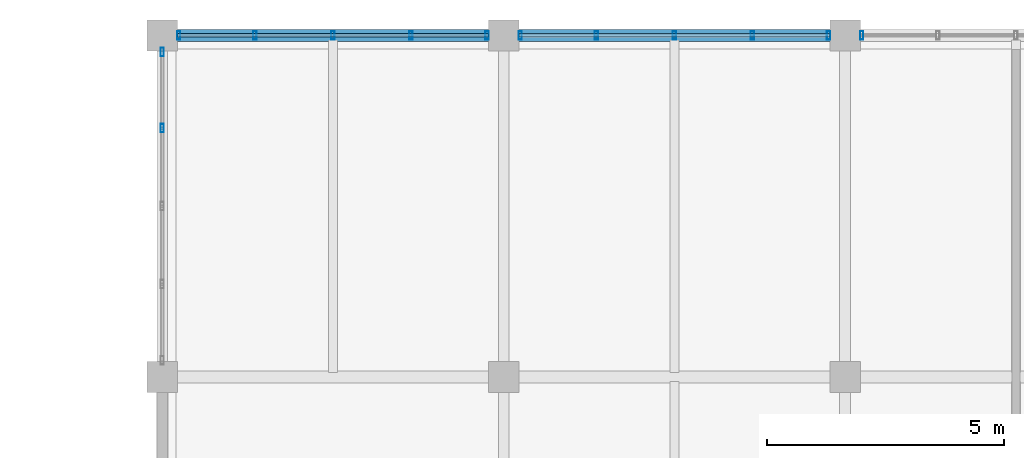
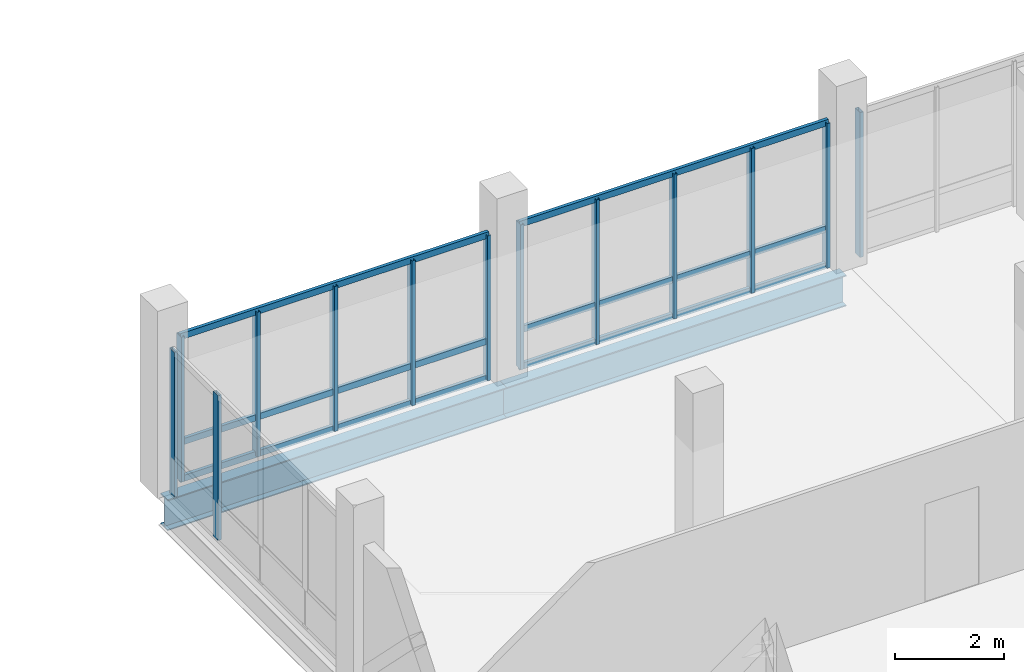
# One storey, part 50 of 144: 19 members, 2 beams, 4 elements without a shape of their own.
"""IFC4 building model written with IfcOpenShell, lengths in metres."""

from ifc_helpers import new_model, si_unit, direction, frame, origin, origin_2d, place, context, subcontext, project, spatial, hollow_rectangle, i_section, extrude, material, material_profile, profile_set, type_object, element, aggregate, save


model = new_model("IFC4")

# Units and contexts
model_context = context("Model", 3, precision=1e-05, world=origin(), true_north=direction((0.0, 1.0)))
body_context = subcontext(model_context, "Body", "Model", "MODEL_VIEW")
ifc_project = project(units=[si_unit("LENGTHUNIT", "METRE"), si_unit("AREAUNIT", "SQUARE_METRE"), si_unit("VOLUMEUNIT", "CUBIC_METRE"), si_unit("PLANEANGLEUNIT", "RADIAN"), si_unit("MASSUNIT", "GRAM", prefix="KILO")], contexts=[model_context])

# Site, building, storey
site_placement = place(None, origin())
site = spatial("IfcSite", under=ifc_project, at=site_placement, CompositionType="ELEMENT")
building_placement = place(site_placement, origin())
building = spatial("IfcBuilding", under=site, at=building_placement, Name="Yarey Park Central Fire Station", CompositionType="ELEMENT")
storey_placement = place(building_placement, frame((0.0, 0.0, 10.199951171875)))
storey = spatial("IfcBuildingStorey", under=building, at=storey_placement, Name="L03", CompositionType="ELEMENT", Elevation=10.199951171875)

# Curtain wall, members
ifc_material_1 = material(Name="Anodized Aluminium Frame", Category="aluminium")
curtain_wall_type = type_object("IfcCurtainWallType", Name="ENV_CW_HQ_L03", PredefinedType="NOTDEFINED", material=ifc_material_1)
curtain_wall_1_placement = place(storey_placement, origin())
curtain_wall_1 = element("IfcCurtainWall", 1, at=curtain_wall_1_placement, inside=storey, type_object=curtain_wall_type, Name="CW_L03_V4_N_1", PredefinedType="NOTDEFINED")
ifc_material_profile_1 = material_profile(ifc_material_1, hollow_rectangle(XDim=0.070068359375, YDim=0.179931640625, WallThickness=0.00390625, at=origin_2d()), Name="ALU 180x70x4")
ifc_profile_set_1 = profile_set([ifc_material_profile_1], Name="Anodized Aluminium Frame")
member_type_1 = type_object("IfcMemberType", Name="ENV_CW_MULLION", PredefinedType="MULLION", material=ifc_profile_set_1)
member_1_placement = place(storey_placement, frame((122.050048828125, 115.199951171875, 0.0), z_axis=(0.0, 0.0, 1.0), x_axis=(1.0, 0.0, 0.0)))
member_1 = element("IfcMember", 2, at=member_1_placement, type_object=member_type_1, Name="CW_L03_V4_N_1_MUL1", PredefinedType="MULLION", context=body_context, shape_type="SweptSolid", body=[
    extrude(hollow_rectangle(XDim=0.070068359375, YDim=0.179931640625, WallThickness=0.00390625, at=origin_2d()), origin(), (0.0, 0.0, 1.0), 3.25),
])
member_2_placement = place(storey_placement, frame((120.445068359375, 115.199951171875, 0.0), z_axis=(0.0, 0.0, 1.0), x_axis=(1.0, 0.0, 0.0)))
member_2 = element("IfcMember", 3, at=member_2_placement, type_object=member_type_1, Name="CW_L03_V4_N_1_MUL2", PredefinedType="MULLION", context=body_context, shape_type="SweptSolid", body=[
    extrude(hollow_rectangle(XDim=0.070068359375, YDim=0.179931640625, WallThickness=0.00390625, at=origin_2d()), origin(), (0.0, 0.0, 1.0), 3.25),
])
member_3_placement = place(storey_placement, frame((118.800048828125, 115.199951171875, 0.0), z_axis=(0.0, 0.0, 1.0), x_axis=(1.0, 0.0, 0.0)))
member_3 = element("IfcMember", 4, at=member_3_placement, type_object=member_type_1, Name="CW_L03_V4_N_1_MUL3", PredefinedType="MULLION", context=body_context, shape_type="SweptSolid", body=[
    extrude(hollow_rectangle(XDim=0.070068359375, YDim=0.179931640625, WallThickness=0.00390625, at=origin_2d()), origin(), (0.0, 0.0, 1.0), 3.25),
])
member_4_placement = place(storey_placement, frame((117.155029296875, 115.199951171875, 0.0), z_axis=(0.0, 0.0, 1.0), x_axis=(1.0, 0.0, 0.0)))
member_4 = element("IfcMember", 5, at=member_4_placement, type_object=member_type_1, Name="CW_L03_V4_N_1_MUL4", PredefinedType="MULLION", context=body_context, shape_type="SweptSolid", body=[
    extrude(hollow_rectangle(XDim=0.070068359375, YDim=0.179931640625, WallThickness=0.00390625, at=origin_2d()), origin(), (0.0, 0.0, 1.0), 3.25),
])
member_5_placement = place(storey_placement, frame((115.550048828125, 115.199951171875, 0.0), z_axis=(0.0, 0.0, 1.0), x_axis=(1.0, 0.0, 0.0)))
member_5 = element("IfcMember", 6, at=member_5_placement, type_object=member_type_1, Name="CW_L03_V4_N_1_MUL5", PredefinedType="MULLION", context=body_context, shape_type="SweptSolid", body=[
    extrude(hollow_rectangle(XDim=0.070068359375, YDim=0.179931640625, WallThickness=0.00390625, at=origin_2d()), origin(), (0.0, 0.0, 1.0), 3.25),
])

curtain_wall_2_placement = place(storey_placement, origin())
curtain_wall_2 = element("IfcCurtainWall", 7, at=curtain_wall_2_placement, inside=storey, type_object=curtain_wall_type, Name="CW_L03_V4_N_2", PredefinedType="NOTDEFINED")
member_6_placement = place(storey_placement, frame((129.25, 115.199951171875, 0.0), z_axis=(0.0, 0.0, 1.0), x_axis=(1.0, 0.0, 0.0)))
member_6 = element("IfcMember", 8, at=member_6_placement, type_object=member_type_1, Name="CW_L03_V4_N_2_MUL1", PredefinedType="MULLION", context=body_context, shape_type="SweptSolid", body=[
    extrude(hollow_rectangle(XDim=0.070068359375, YDim=0.179931640625, WallThickness=0.00390625, at=origin_2d()), origin(), (0.0, 0.0, 1.0), 3.25),
])
member_7_placement = place(storey_placement, frame((127.64501953125, 115.199951171875, 0.0), z_axis=(0.0, 0.0, 1.0), x_axis=(1.0, 0.0, 0.0)))
member_7 = element("IfcMember", 9, at=member_7_placement, type_object=member_type_1, Name="CW_L03_V4_N_2_MUL2", PredefinedType="MULLION", context=body_context, shape_type="SweptSolid", body=[
    extrude(hollow_rectangle(XDim=0.070068359375, YDim=0.179931640625, WallThickness=0.00390625, at=origin_2d()), origin(), (0.0, 0.0, 1.0), 3.25),
])
member_8_placement = place(storey_placement, frame((126.0, 115.199951171875, 0.0), z_axis=(0.0, 0.0, 1.0), x_axis=(1.0, 0.0, 0.0)))
member_8 = element("IfcMember", 10, at=member_8_placement, type_object=member_type_1, Name="CW_L03_V4_N_2_MUL3", PredefinedType="MULLION", context=body_context, shape_type="SweptSolid", body=[
    extrude(hollow_rectangle(XDim=0.070068359375, YDim=0.179931640625, WallThickness=0.00390625, at=origin_2d()), origin(), (0.0, 0.0, 1.0), 3.25),
])
member_9_placement = place(storey_placement, frame((124.35498046875, 115.199951171875, 0.0), z_axis=(0.0, 0.0, 1.0), x_axis=(1.0, 0.0, 0.0)))
member_9 = element("IfcMember", 11, at=member_9_placement, type_object=member_type_1, Name="CW_L03_V4_N_2_MUL4", PredefinedType="MULLION", context=body_context, shape_type="SweptSolid", body=[
    extrude(hollow_rectangle(XDim=0.070068359375, YDim=0.179931640625, WallThickness=0.00390625, at=origin_2d()), origin(), (0.0, 0.0, 1.0), 3.25),
])
member_10_placement = place(storey_placement, frame((122.75, 115.199951171875, 0.0), z_axis=(0.0, 0.0, 1.0), x_axis=(1.0, 0.0, 0.0)))
member_10 = element("IfcMember", 12, at=member_10_placement, type_object=member_type_1, Name="CW_L03_V4_N_2_MUL5", PredefinedType="MULLION", context=body_context, shape_type="SweptSolid", body=[
    extrude(hollow_rectangle(XDim=0.070068359375, YDim=0.179931640625, WallThickness=0.00390625, at=origin_2d()), origin(), (0.0, 0.0, 1.0), 3.25),
])

# Curtain wall, member
curtain_wall_3_placement = place(storey_placement, origin())
curtain_wall_3 = element("IfcCurtainWall", 13, at=curtain_wall_3_placement, inside=storey, type_object=curtain_wall_type, Name="CW_L03_V4_N_3", PredefinedType="NOTDEFINED")
member_11_placement = place(storey_placement, frame((129.949951171875, 115.199951171875, 0.0), z_axis=(0.0, 0.0, 1.0), x_axis=(1.0, 0.0, 0.0)))
member_11 = element("IfcMember", 14, at=member_11_placement, type_object=member_type_1, Name="CW_L03_V4_N_3_MUL5", PredefinedType="MULLION", context=body_context, shape_type="SweptSolid", body=[
    extrude(hollow_rectangle(XDim=0.070068359375, YDim=0.179931640625, WallThickness=0.00390625, at=origin_2d()), origin(), (0.0, 0.0, 1.0), 3.25),
])
aggregate(curtain_wall_3, [member_11])

# Curtain wall, members
curtain_wall_4_placement = place(storey_placement, origin())
curtain_wall_4 = element("IfcCurtainWall", 15, at=curtain_wall_4_placement, inside=storey, type_object=curtain_wall_type, Name="CW_L03_V4_W_108", PredefinedType="NOTDEFINED")
member_12_placement = place(storey_placement, frame((115.199951171875, 114.85009765625, 0.0), z_axis=(0.0, 0.0, 1.0), x_axis=(1.0, 0.0, 0.0)))
member_12 = element("IfcMember", 16, at=member_12_placement, type_object=member_type_1, Name="CW_L03_V4_W_108_MUL1", PredefinedType="MULLION", context=body_context, shape_type="SweptSolid", body=[
    extrude(hollow_rectangle(XDim=0.070068359375, YDim=0.179931640625, WallThickness=0.00390625, at=origin_2d()), origin(), (0.0, 0.0, 1.0), 3.25),
])
member_13_placement = place(storey_placement, frame((115.199951171875, 113.2451171875, 0.0), z_axis=(0.0, 0.0, 1.0), x_axis=(1.0, 0.0, 0.0)))
member_13 = element("IfcMember", 17, at=member_13_placement, type_object=member_type_1, Name="CW_L03_V4_W_108_MUL2", PredefinedType="MULLION", context=body_context, shape_type="SweptSolid", body=[
    extrude(hollow_rectangle(XDim=0.070068359375, YDim=0.179931640625, WallThickness=0.00390625, at=origin_2d()), origin(), (0.0, 0.0, 1.0), 3.25),
])
aggregate(curtain_wall_4, [member_12, member_13])

# Member
ifc_material_profile_2 = material_profile(ifc_material_1, hollow_rectangle(XDim=0.070068359375, YDim=0.139892578125, WallThickness=0.00390625, at=origin_2d()), Name="ALU 140x70x4")
ifc_profile_set_2 = profile_set([ifc_material_profile_2], Name="Anodized Aluminium Frame")
member_type_2 = type_object("IfcMemberType", Name="ENV_CW_TRANSOM", PredefinedType="USERDEFINED", material=ifc_profile_set_2)
member_14_placement = place(storey_placement, frame((122.074951171875, 115.199951171875, 0.025146484375), z_axis=(-1.0, 0.0, 0.0), x_axis=(0.0, -1.0, 0.0)))
member_14 = element("IfcMember", 18, at=member_14_placement, type_object=member_type_2, Name="CW_L03_V4_N_1_TRN1", ObjectType="TRANSOM", PredefinedType="USERDEFINED", context=body_context, shape_type="SweptSolid", body=[
    extrude(hollow_rectangle(XDim=0.070068359375, YDim=0.139892578125, WallThickness=0.00390625, at=origin_2d()), origin(), (0.0, 0.0, 1.0), 6.550048828125),
])

member_15_placement = place(storey_placement, frame((122.074951171875, 115.199951171875, 0.85009765625), z_axis=(-1.0, 0.0, 0.0), x_axis=(0.0, -1.0, 0.0)))
member_15 = element("IfcMember", 19, at=member_15_placement, type_object=member_type_2, Name="CW_L03_V4_N_1_TRN2", ObjectType="TRANSOM", PredefinedType="USERDEFINED", context=body_context, shape_type="SweptSolid", body=[
    extrude(hollow_rectangle(XDim=0.070068359375, YDim=0.139892578125, WallThickness=0.00390625, at=origin_2d()), origin(), (0.0, 0.0, 1.0), 6.550048828125),
])

member_16_placement = place(storey_placement, frame((122.074951171875, 115.199951171875, 3.22509765625), z_axis=(-1.0, 0.0, 0.0), x_axis=(0.0, -1.0, 0.0)))
member_16 = element("IfcMember", 20, at=member_16_placement, type_object=member_type_2, Name="CW_L03_V4_N_1_TRN3", ObjectType="TRANSOM", PredefinedType="USERDEFINED", context=body_context, shape_type="SweptSolid", body=[
    extrude(hollow_rectangle(XDim=0.070068359375, YDim=0.139892578125, WallThickness=0.00390625, at=origin_2d()), origin(), (0.0, 0.0, 1.0), 6.550048828125),
])

aggregate(curtain_wall_1, [member_1, member_2, member_3, member_4, member_5, member_14, member_15, member_16])

member_17_placement = place(storey_placement, frame((129.27490234375, 115.199951171875, 0.025146484375), z_axis=(-1.0, 0.0, 0.0), x_axis=(0.0, -1.0, 0.0)))
member_17 = element("IfcMember", 21, at=member_17_placement, type_object=member_type_2, Name="CW_L03_V4_N_2_TRN1", ObjectType="TRANSOM", PredefinedType="USERDEFINED", context=body_context, shape_type="SweptSolid", body=[
    extrude(hollow_rectangle(XDim=0.070068359375, YDim=0.139892578125, WallThickness=0.00390625, at=origin_2d()), origin(), (0.0, 0.0, 1.0), 6.5498046875),
])

member_18_placement = place(storey_placement, frame((129.27490234375, 115.199951171875, 0.85009765625), z_axis=(-1.0, 0.0, 0.0), x_axis=(0.0, -1.0, 0.0)))
member_18 = element("IfcMember", 22, at=member_18_placement, type_object=member_type_2, Name="CW_L03_V4_N_2_TRN2", ObjectType="TRANSOM", PredefinedType="USERDEFINED", context=body_context, shape_type="SweptSolid", body=[
    extrude(hollow_rectangle(XDim=0.070068359375, YDim=0.139892578125, WallThickness=0.00390625, at=origin_2d()), origin(), (0.0, 0.0, 1.0), 6.5498046875),
])

member_19_placement = place(storey_placement, frame((129.27490234375, 115.199951171875, 3.22509765625), z_axis=(-1.0, 0.0, 0.0), x_axis=(0.0, -1.0, 0.0)))
member_19 = element("IfcMember", 23, at=member_19_placement, type_object=member_type_2, Name="CW_L03_V4_N_2_TRN3", ObjectType="TRANSOM", PredefinedType="USERDEFINED", context=body_context, shape_type="SweptSolid", body=[
    extrude(hollow_rectangle(XDim=0.070068359375, YDim=0.139892578125, WallThickness=0.00390625, at=origin_2d()), origin(), (0.0, 0.0, 1.0), 6.5498046875),
])

aggregate(curtain_wall_2, [member_6, member_7, member_8, member_9, member_10, member_17, member_18, member_19])

# Beams
ifc_material_2 = material(Name="Steel ASTM A992 Gr. 50", Category="steel")
ifc_material_profile_3 = material_profile(ifc_material_2, i_section(OverallWidth=0.256103515625, OverallDepth=0.693115234375, WebThickness=0.014404296875, FlangeThickness=0.023681640625, at=origin_2d()), Name="W690x170")
ifc_profile_set_3 = profile_set([ifc_material_profile_3], Name="Steel ASTM A992 Gr. 50")
beam_type = type_object("IfcBeamType", Name="STR_BM_W690", PredefinedType="BEAM", material=ifc_profile_set_3)
beam_1_placement = place(storey_placement, frame((115.199951171875, 115.199951171875, -0.6064453125), z_axis=(1.0, 0.0, 0.0), x_axis=(0.0, 1.0, 0.0)))
element("IfcBeam", 24, at=beam_1_placement, inside=storey, type_object=beam_type, Name="BMX L03 Y1152 X1152", PredefinedType="BEAM", context=body_context, shape_type="SweptSolid", body=[
    extrude(i_section(OverallWidth=0.256103515625, OverallDepth=0.693115234375, WebThickness=0.014404296875, FlangeThickness=0.023681640625, at=origin_2d()), origin(), (0.0, 0.0, 1.0), 7.199951171875),
])
beam_2_placement = place(storey_placement, frame((122.39990234375, 115.199951171875, -0.6064453125), z_axis=(1.0, 0.0, 0.0), x_axis=(0.0, 1.0, 0.0)))
element("IfcBeam", 25, at=beam_2_placement, inside=storey, type_object=beam_type, Name="BMX L03 Y1152 X1224", PredefinedType="BEAM", context=body_context, shape_type="SweptSolid", body=[
    extrude(i_section(OverallWidth=0.256103515625, OverallDepth=0.693115234375, WebThickness=0.014404296875, FlangeThickness=0.023681640625, at=origin_2d()), origin(), (0.0, 0.0, 1.0), 7.2001953125),
])

save(model, "model.ifc")
